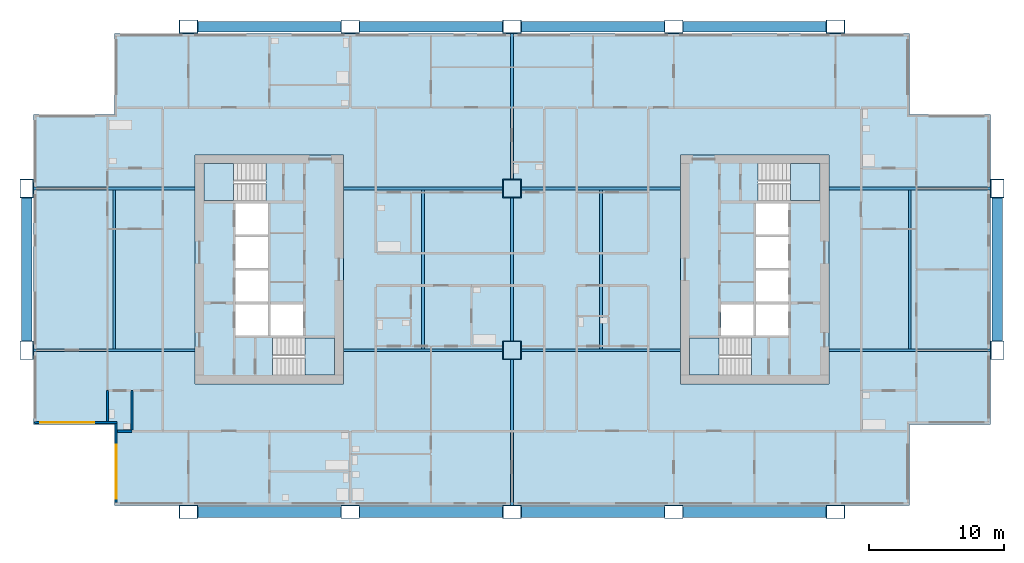
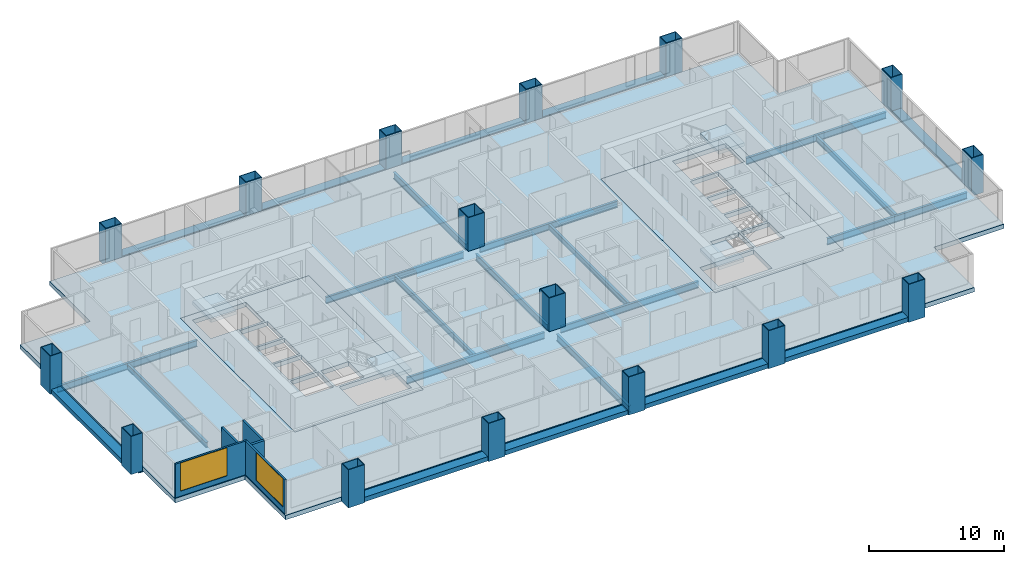
# One storey, part 1 of 11: 25 beams, 16 columns, 7 slabs, 5 walls, 2 windows, 2 openings, 4 elements without a shape of their own.
"""IFC4 building model written with IfcOpenShell, lengths in metres."""

from ifc_helpers import new_model, si_unit, direction, frame, frame_2d, origin, origin_2d, place, context, subcontext, project, spatial, polyline, rectangle, hollow_rectangle, i_section, outline, extrude, material, layer, layer_set, material_profile, profile_set, type_object, element, fill, aggregate, save


model = new_model("IFC4")

# Units and contexts
model_context = context("Model", 3, precision=1e-05, world=origin(), true_north=direction((0.0, 1.0)))
body_context = subcontext(model_context, "Body", "Model", "MODEL_VIEW")
ifc_project = project(units=[si_unit("LENGTHUNIT", "METRE"), si_unit("AREAUNIT", "SQUARE_METRE"), si_unit("VOLUMEUNIT", "CUBIC_METRE"), si_unit("PLANEANGLEUNIT", "RADIAN"), si_unit("MASSUNIT", "GRAM", prefix="KILO")], contexts=[model_context])

# Site, building, storey
site_placement = place(None, origin())
site = spatial("IfcSite", under=ifc_project, at=site_placement, CompositionType="ELEMENT")
building_placement = place(site_placement, origin())
building = spatial("IfcBuilding", under=site, at=building_placement, Name="Kitamizu Gate Tower and Museum", CompositionType="ELEMENT")
storey_placement = place(building_placement, frame((0.0, 0.0, 141.449951171875)))
storey = spatial("IfcBuildingStorey", under=building, at=storey_placement, Name="L37", CompositionType="ELEMENT", Elevation=141.449951171875)

# Columns
ifc_material_1 = material(Name="Steel SM490A bronze coated", Category="steel")
ifc_material_profile_1 = material_profile(ifc_material_1, hollow_rectangle(XDim=1.39990234375, YDim=1.0, WallThickness=0.054931640625, at=origin_2d()), Name="BOX 1400x1000x55")
ifc_profile_set_1 = profile_set([ifc_material_profile_1], Name="Steel SM490A bronze coated")
column_type_1 = type_object("IfcColumnType", Name="Exoskeleton column XC5 BOX 1400x1000x55", PredefinedType="COLUMN", material=ifc_profile_set_1)
for number, where, z_axis, x_axis, name in (
    (1, (0.0, 24.0, -0.39990234375), (0.0, 0.0, 1.0), (0.0, 1.0, 0.0), "Column XC5 1C L37"),
    (2, (0.0, 36.0, -0.39990234375), (0.0, 0.0, 1.0), (0.0, 1.0, 0.0), "Column XC5 1D L37"),
    (3, (12.0, 12.0, -0.39990234375), (0.0, 0.0, 1.0), (1.0, 0.0, 0.0), "Column XC5 2B L37"),
    (4, (12.0, 48.0, -0.39990234375), (0.0, 0.0, 1.0), (1.0, 0.0, 0.0), "Column XC5 2E L37"),
    (5, (24.0, 12.0, -0.39990234375), (0.0, 0.0, 1.0), (1.0, 0.0, 0.0), "Column XC5 3B L37"),
    (6, (24.0, 48.0, -0.39990234375), (0.0, 0.0, 1.0), (1.0, 0.0, 0.0), "Column XC5 3E L37"),
    (7, (36.0, 12.0, -0.39990234375), (0.0, 0.0, 1.0), (1.0, 0.0, 0.0), "Column XC5 4B L37"),
    (8, (36.0, 48.0, -0.39990234375), (0.0, 0.0, 1.0), (1.0, 0.0, 0.0), "Column XC5 4E L37"),
    (9, (48.0, 12.0, -0.39990234375), (0.0, 0.0, 1.0), (1.0, 0.0, 0.0), "Column XC5 5B L37"),
    (10, (48.0, 48.0, -0.39990234375), (0.0, 0.0, 1.0), (1.0, 0.0, 0.0), "Column XC5 5E L37"),
    (11, (60.0, 12.0, -0.39990234375), (0.0, 0.0, 1.0), (1.0, 0.0, 0.0), "Column XC5 6B L37"),
    (12, (60.0, 48.0, -0.39990234375), (0.0, 0.0, 1.0), (1.0, 0.0, 0.0), "Column XC5 6E L37"),
    (13, (72.0, 24.0, -0.39990234375), (0.0, 0.0, 1.0), (0.0, 1.0, 0.0), "Column XC5 7C L37"),
    (14, (72.0, 36.0, -0.39990234375), (0.0, 0.0, 1.0), (0.0, 1.0, 0.0), "Column XC5 7D L37"),
):
    element("IfcColumn", number, at=place(storey_placement, frame(where, z_axis=z_axis, x_axis=x_axis)), inside=storey, type_object=column_type_1, Name=name, PredefinedType="COLUMN", context=body_context, shape_type="SweptSolid", body=[
        extrude(hollow_rectangle(XDim=1.39990234375, YDim=1.0, WallThickness=0.054931640625, at=origin_2d()), origin(), (0.0, 0.0, 1.0), 3.449951171875),
    ])
ifc_material_2 = material(Name="Steel SM490A", Category="steel")
ifc_material_profile_2 = material_profile(ifc_material_2, hollow_rectangle(XDim=1.39990234375, YDim=1.39990234375, WallThickness=0.06005859375, at=origin_2d()), Name="BOX 1400x1400x60")
ifc_profile_set_2 = profile_set([ifc_material_profile_2], Name="Steel SM490A")
column_type_2 = type_object("IfcColumnType", Name="Interior column IC3 BOX 1400x1400x60", PredefinedType="COLUMN", material=ifc_profile_set_2)
for number, where, z_axis, x_axis, name in (
    (15, (36.0, 24.0, 0.0), (0.0, 0.0, 1.0), (1.0, 0.0, 0.0), "Column IC3 4C L37"),
    (16, (36.0, 36.0, 0.0), (0.0, 0.0, 1.0), (1.0, 0.0, 0.0), "Column IC3 4D L37"),
):
    element("IfcColumn", number, at=place(storey_placement, frame(where, z_axis=z_axis, x_axis=x_axis)), inside=storey, type_object=column_type_2, Name=name, PredefinedType="COLUMN", context=body_context, shape_type="SweptSolid", body=[
        extrude(hollow_rectangle(XDim=1.39990234375, YDim=1.39990234375, WallThickness=0.06005859375, at=origin_2d()), origin(), (0.0, 0.0, 1.0), 3.050048828125),
    ])

# Beams
ifc_material_3 = material(Name="Steel SM490A bronze coated", Category="steel")
ifc_material_profile_3 = material_profile(ifc_material_3, hollow_rectangle(XDim=0.800048828125, YDim=0.39990234375, WallThickness=0.0400390625, at=origin_2d()), Name="BOX 800x400x40")
ifc_profile_set_3 = profile_set([ifc_material_profile_3], Name="Steel SM490A bronze coated")
beam_type_1 = type_object("IfcBeamType", Name="Exoskeleton spandrel beam SB1 BOX 800x400x40", PredefinedType="SPANDREL", material=ifc_profile_set_3)
for number, where, z_axis, x_axis, name in (
    (17, (12.699951171875, 12.0, -0.199951171875), (1.0, 0.0, 0.0), (0.0, 1.0, 0.0), "Exoskeleton spandrel beam south 12 L37"),
    (18, (24.699951171875, 12.0, -0.199951171875), (1.0, 0.0, 0.0), (0.0, 1.0, 0.0), "Exoskeleton spandrel beam south 24 L37"),
    (19, (36.699951171875, 12.0, -0.199951171875), (1.0, 0.0, 0.0), (0.0, 1.0, 0.0), "Exoskeleton spandrel beam south 36 L37"),
    (20, (48.699951171875, 12.0, -0.199951171875), (1.0, 0.0, 0.0), (0.0, 1.0, 0.0), "Exoskeleton spandrel beam south 48 L37"),
    (21, (12.699951171875, 48.0, -0.199951171875), (1.0, 0.0, 0.0), (0.0, 1.0, 0.0), "Exoskeleton spandrel beam north 12 L37"),
    (22, (24.699951171875, 48.0, -0.199951171875), (1.0, 0.0, 0.0), (0.0, 1.0, 0.0), "Exoskeleton spandrel beam north 24 L37"),
    (23, (36.699951171875, 48.0, -0.199951171875), (1.0, 0.0, 0.0), (0.0, 1.0, 0.0), "Exoskeleton spandrel beam north 36 L37"),
    (24, (48.699951171875, 48.0, -0.199951171875), (1.0, 0.0, 0.0), (0.0, 1.0, 0.0), "Exoskeleton spandrel beam north 48 L37"),
    (25, (0.0, 24.699951171875, -0.199951171875), (0.0, 1.0, 0.0), (-1.0, 0.0, 0.0), "Exoskeleton spandrel beam west 24 L37"),
    (26, (72.0, 24.699951171875, -0.199951171875), (0.0, 1.0, 0.0), (-1.0, 0.0, 0.0), "Exoskeleton spandrel beam east 24 L37"),
):
    element("IfcBeam", number, at=place(storey_placement, frame(where, z_axis=z_axis, x_axis=x_axis)), inside=storey, type_object=beam_type_1, Name=name, PredefinedType="SPANDREL", context=body_context, shape_type="SweptSolid", body=[
        extrude(hollow_rectangle(XDim=0.800048828125, YDim=0.39990234375, WallThickness=0.0400390625, at=origin_2d()), origin(), (0.0, 0.0, 1.0), 10.60009765625),
    ])
ifc_material_4 = material(Name="Steel SM490A", Category="steel")
ifc_material_profile_4 = material_profile(ifc_material_4, i_section(OverallWidth=0.199951171875, OverallDepth=0.5, WebThickness=0.010009765625, FlangeThickness=0.01611328125, FilletRadius=0.02001953125, at=origin_2d()), Name="H-500x200x10x16")
ifc_profile_set_4 = profile_set([ifc_material_profile_4], Name="Steel SM490A")
beam_type_2 = type_object("IfcBeamType", Name="Floor beam FB1 H 500x200x10x16", PredefinedType="BEAM", material=ifc_profile_set_4)
for number, where, z_axis, x_axis, name in (
    (27, (6.5, 24.10009765625, -0.64990234375), (0.0, 1.0, 0.0), (-1.0, 0.0, 0.0), "Floor beam FB1 L37-1"),
    (28, (29.39990234375, 24.10009765625, -0.64990234375), (0.0, 1.0, 0.0), (-1.0, 0.0, 0.0), "Floor beam FB1 L37-2"),
    (29, (42.60009765625, 24.10009765625, -0.64990234375), (0.0, 1.0, 0.0), (-1.0, 0.0, 0.0), "Floor beam FB1 L37-3"),
    (30, (65.5, 24.10009765625, -0.64990234375), (0.0, 1.0, 0.0), (-1.0, 0.0, 0.0), "Floor beam FB1 L37-4"),
):
    element("IfcBeam", number, at=place(storey_placement, frame(where, z_axis=z_axis, x_axis=x_axis)), inside=storey, type_object=beam_type_2, Name=name, PredefinedType="BEAM", context=body_context, shape_type="SweptSolid", body=[
        extrude(i_section(OverallWidth=0.199951171875, OverallDepth=0.5, WebThickness=0.010009765625, FlangeThickness=0.01611328125, FilletRadius=0.02001953125, at=origin_2d()), origin(), (0.0, 0.0, 1.0), 11.7998046875),
    ])
ifc_material_5 = material(Name="Steel SM490A", Category="steel")
ifc_material_profile_5 = material_profile(ifc_material_5, i_section(OverallWidth=0.199951171875, OverallDepth=0.60009765625, WebThickness=0.010986328125, FlangeThickness=0.01708984375, FilletRadius=0.02197265625, at=origin_2d()), Name="H-600x200x11x17")
ifc_profile_set_5 = profile_set([ifc_material_profile_5], Name="Steel SM490A")
beam_type_3 = type_object("IfcBeamType", Name="Floor girder FG1 H 600x200x11x17", PredefinedType="BEAM", material=ifc_profile_set_5)
beam_1_placement = place(storey_placement, frame((36.0, 12.5, -0.699951171875), z_axis=(0.0, 1.0, 0.0), x_axis=(-1.0, 0.0, 0.0)))
element("IfcBeam", 31, at=beam_1_placement, inside=storey, type_object=beam_type_3, Name="Floor girder FG1 x36 L37", PredefinedType="BEAM", context=body_context, shape_type="SweptSolid", body=[
    extrude(i_section(OverallWidth=0.199951171875, OverallDepth=0.60009765625, WebThickness=0.010986328125, FlangeThickness=0.01708984375, FilletRadius=0.02197265625, at=origin_2d()), origin(), (0.0, 0.0, 1.0), 10.800048828125),
])
beam_2_placement = place(storey_placement, frame((36.0, 24.699951171875, -0.699951171875), z_axis=(0.0, 1.0, 0.0), x_axis=(-1.0, 0.0, 0.0)))
element("IfcBeam", 32, at=beam_2_placement, inside=storey, type_object=beam_type_3, Name="Floor girder FG1 x36 L37", PredefinedType="BEAM", context=body_context, shape_type="SweptSolid", body=[
    extrude(i_section(OverallWidth=0.199951171875, OverallDepth=0.60009765625, WebThickness=0.010986328125, FlangeThickness=0.01708984375, FilletRadius=0.02197265625, at=origin_2d()), origin(), (0.0, 0.0, 1.0), 10.60009765625),
])
beam_3_placement = place(storey_placement, frame((36.0, 36.699951171875, -0.699951171875), z_axis=(0.0, 1.0, 0.0), x_axis=(-1.0, 0.0, 0.0)))
element("IfcBeam", 33, at=beam_3_placement, inside=storey, type_object=beam_type_3, Name="Floor girder FG1 x36 L37", PredefinedType="BEAM", context=body_context, shape_type="SweptSolid", body=[
    extrude(i_section(OverallWidth=0.199951171875, OverallDepth=0.60009765625, WebThickness=0.010986328125, FlangeThickness=0.01708984375, FilletRadius=0.02197265625, at=origin_2d()), origin(), (0.0, 0.0, 1.0), 10.800048828125),
])
beam_4_placement = place(storey_placement, frame((0.5, 24.0, -0.699951171875), z_axis=(1.0, 0.0, 0.0), x_axis=(0.0, 1.0, 0.0)))
element("IfcBeam", 34, at=beam_4_placement, inside=storey, type_object=beam_type_3, Name="Floor girder FG1 y24 L37", PredefinedType="BEAM", context=body_context, shape_type="SweptSolid", body=[
    extrude(i_section(OverallWidth=0.199951171875, OverallDepth=0.60009765625, WebThickness=0.010986328125, FlangeThickness=0.01708984375, FilletRadius=0.02197265625, at=origin_2d()), origin(), (0.0, 0.0, 1.0), 12.0),
])
for number, where, z_axis, x_axis, name in (
    (35, (23.5, 24.0, -0.699951171875), (1.0, 0.0, 0.0), (0.0, 1.0, 0.0), "Floor girder FG1 y24 L37"),
    (36, (36.699951171875, 24.0, -0.699951171875), (1.0, 0.0, 0.0), (0.0, 1.0, 0.0), "Floor girder FG1 y24 L37"),
):
    element("IfcBeam", number, at=place(storey_placement, frame(where, z_axis=z_axis, x_axis=x_axis)), inside=storey, type_object=beam_type_3, Name=name, PredefinedType="BEAM", context=body_context, shape_type="SweptSolid", body=[
        extrude(i_section(OverallWidth=0.199951171875, OverallDepth=0.60009765625, WebThickness=0.010986328125, FlangeThickness=0.01708984375, FilletRadius=0.02197265625, at=origin_2d()), origin(), (0.0, 0.0, 1.0), 11.800048828125),
    ])
for number, where, z_axis, x_axis, name in (
    (37, (59.5, 24.0, -0.699951171875), (1.0, 0.0, 0.0), (0.0, 1.0, 0.0), "Floor girder FG1 y24 L37"),
    (38, (0.5, 36.0, -0.699951171875), (1.0, 0.0, 0.0), (0.0, 1.0, 0.0), "Floor girder FG1 y36 L37"),
):
    element("IfcBeam", number, at=place(storey_placement, frame(where, z_axis=z_axis, x_axis=x_axis)), inside=storey, type_object=beam_type_3, Name=name, PredefinedType="BEAM", context=body_context, shape_type="SweptSolid", body=[
        extrude(i_section(OverallWidth=0.199951171875, OverallDepth=0.60009765625, WebThickness=0.010986328125, FlangeThickness=0.01708984375, FilletRadius=0.02197265625, at=origin_2d()), origin(), (0.0, 0.0, 1.0), 12.0),
    ])
for number, where, z_axis, x_axis, name in (
    (39, (23.5, 36.0, -0.699951171875), (1.0, 0.0, 0.0), (0.0, 1.0, 0.0), "Floor girder FG1 y36 L37"),
    (40, (36.699951171875, 36.0, -0.699951171875), (1.0, 0.0, 0.0), (0.0, 1.0, 0.0), "Floor girder FG1 y36 L37"),
):
    element("IfcBeam", number, at=place(storey_placement, frame(where, z_axis=z_axis, x_axis=x_axis)), inside=storey, type_object=beam_type_3, Name=name, PredefinedType="BEAM", context=body_context, shape_type="SweptSolid", body=[
        extrude(i_section(OverallWidth=0.199951171875, OverallDepth=0.60009765625, WebThickness=0.010986328125, FlangeThickness=0.01708984375, FilletRadius=0.02197265625, at=origin_2d()), origin(), (0.0, 0.0, 1.0), 11.800048828125),
    ])
beam_5_placement = place(storey_placement, frame((59.5, 36.0, -0.699951171875), z_axis=(1.0, 0.0, 0.0), x_axis=(0.0, 1.0, 0.0)))
element("IfcBeam", 41, at=beam_5_placement, inside=storey, type_object=beam_type_3, Name="Floor girder FG1 y36 L37", PredefinedType="BEAM", context=body_context, shape_type="SweptSolid", body=[
    extrude(i_section(OverallWidth=0.199951171875, OverallDepth=0.60009765625, WebThickness=0.010986328125, FlangeThickness=0.01708984375, FilletRadius=0.02197265625, at=origin_2d()), origin(), (0.0, 0.0, 1.0), 12.0),
])

# Slabs
ifc_material_6 = material(Name="Concrete Fc36", Category="concrete")
ifc_layer_1 = layer(ifc_material_6, 0.39990234375)
ifc_layer_set_1 = layer_set([ifc_layer_1], Name="Concrete Fc36")
slab_type_1 = type_object("IfcSlabType", Name="Core floor slab 400", PredefinedType="FLOOR", material=ifc_layer_set_1)
slab_1_placement = place(storey_placement, frame((0.0, 0.0, -0.39990234375)))
element("IfcSlab", 42, at=slab_1_placement, inside=storey, type_object=slab_type_1, Name="Core floor slab W", PredefinedType="FLOOR", context=body_context, shape_type="SweptSolid", body=[
    extrude(outline(polyline([(12.5, 21.5), (23.5, 21.5), (23.5, 38.5), (12.5, 38.5), (12.5, 21.5)]), holes=[polyline([(15.5, 25.10009765625), (17.89990234375, 25.10009765625), (17.89990234375, 27.39990234375), (15.5, 27.39990234375), (15.5, 25.10009765625)]), polyline([(15.5, 27.60009765625), (17.89990234375, 27.60009765625), (17.89990234375, 29.89990234375), (15.5, 29.89990234375), (15.5, 27.60009765625)]), polyline([(15.5, 30.10009765625), (17.89990234375, 30.10009765625), (17.89990234375, 32.39990234375), (15.5, 32.39990234375), (15.5, 30.10009765625)]), polyline([(15.5, 32.60009765625), (17.89990234375, 32.60009765625), (17.89990234375, 34.89990234375), (15.5, 34.89990234375), (15.5, 32.60009765625)]), polyline([(18.10009765625, 25.10009765625), (20.5, 25.10009765625), (20.5, 27.39990234375), (18.10009765625, 27.39990234375), (18.10009765625, 25.10009765625)]), polyline([(18.25048828125, 22.14990234375), (22.85009765625, 22.14990234375), (22.85009765625, 24.89990234375), (18.25048828125, 24.89990234375), (18.25048828125, 22.14990234375)]), polyline([(13.14990234375, 35.10009765625), (17.74951171875, 35.10009765625), (17.74951171875, 37.85009765625), (13.14990234375, 37.85009765625), (13.14990234375, 35.10009765625)])]), origin(), (0.0, 0.0, 1.0), 0.39990234375),
])
slab_2_placement = place(storey_placement, frame((0.0, 0.0, -0.39990234375)))
element("IfcSlab", 43, at=slab_2_placement, inside=storey, type_object=slab_type_1, Name="Core floor slab E", PredefinedType="FLOOR", context=body_context, shape_type="SweptSolid", body=[
    extrude(outline(polyline([(48.5, 21.5), (59.5, 21.5), (59.5, 38.5), (48.5, 38.5), (48.5, 21.5)]), holes=[polyline([(54.10009765625, 25.10009765625), (56.5, 25.10009765625), (56.5, 27.39990234375), (54.10009765625, 27.39990234375), (54.10009765625, 25.10009765625)]), polyline([(54.10009765625, 27.60009765625), (56.5, 27.60009765625), (56.5, 29.89990234375), (54.10009765625, 29.89990234375), (54.10009765625, 27.60009765625)]), polyline([(54.10009765625, 30.10009765625), (56.5, 30.10009765625), (56.5, 32.39990234375), (54.10009765625, 32.39990234375), (54.10009765625, 30.10009765625)]), polyline([(54.10009765625, 32.60009765625), (56.5, 32.60009765625), (56.5, 34.89990234375), (54.10009765625, 34.89990234375), (54.10009765625, 32.60009765625)]), polyline([(51.5, 25.10009765625), (53.89990234375, 25.10009765625), (53.89990234375, 27.39990234375), (51.5, 27.39990234375), (51.5, 25.10009765625)]), polyline([(49.14990234375, 22.14990234375), (53.74951171875, 22.14990234375), (53.74951171875, 24.89990234375), (49.14990234375, 24.89990234375), (49.14990234375, 22.14990234375)]), polyline([(54.25048828125, 35.10009765625), (58.85009765625, 35.10009765625), (58.85009765625, 37.85009765625), (54.25048828125, 37.85009765625), (54.25048828125, 35.10009765625)])]), origin(), (0.0, 0.0, 1.0), 0.39990234375),
])
ifc_material_7 = material(Name="Concrete Fc36", Category="concrete")
ifc_layer_2 = layer(ifc_material_7, 0.39990234375)
ifc_layer_set_2 = layer_set([ifc_layer_2], Name="Concrete Fc36")
slab_type_2 = type_object("IfcSlabType", Name="Post tensioned flat slab 400", PredefinedType="FLOOR", material=ifc_layer_set_2)
slab_3_placement = place(storey_placement, frame((0.0, 0.0, -0.39990234375)))
element("IfcSlab", 44, at=slab_3_placement, inside=storey, type_object=slab_type_2, Name="Floor slab L37-1", PredefinedType="FLOOR", context=body_context, shape_type="SweptSolid", body=[
    extrude(outline(polyline([(0.5, 18.5), (0.5, 41.5), (6.5, 41.5), (6.5, 47.5), (65.5, 47.5), (65.5, 41.5), (71.5, 41.5), (71.5, 18.5), (65.5, 18.5), (65.5, 12.5), (6.5, 12.5), (6.5, 18.5), (0.5, 18.5)]), holes=[polyline([(59.5, 38.5), (48.5, 38.5), (48.5, 21.5), (59.5, 21.5), (59.5, 38.5)]), polyline([(12.5, 38.5), (12.5, 21.5), (23.5, 21.5), (23.5, 38.5), (12.5, 38.5)])]), origin(), (0.0, 0.0, 1.0), 0.39990234375),
])

# Stair, slab
ifc_material_8 = material(Name="Concrete Fc42", Category="concrete")
stair_type = type_object("IfcStairType", Name="Exit stair 1275 wide 192 rise 300 going", PredefinedType="HALF_TURN_STAIR", material=ifc_material_8)
stair_1_placement = place(storey_placement, origin())
stair_1 = element("IfcStair", 45, at=stair_1_placement, inside=storey, type_object=stair_type, Name="Exit stair ST1", PredefinedType="HALF_TURN_STAIR")
ifc_material_9 = material(Name="Concrete Fc42", Category="concrete")
ifc_layer_3 = layer(ifc_material_9, 0.300048828125)
ifc_layer_set_3 = layer_set([ifc_layer_3], Name="Concrete Fc42")
slab_type_3 = type_object("IfcSlabType", Name="Stair landing 300", PredefinedType="LANDING", material=ifc_layer_set_3)
slab_4_placement = place(storey_placement, frame((0.0, 0.0, 1.425048828125)))
slab_4 = element("IfcSlab", 46, at=slab_4_placement, type_object=slab_type_3, Name="ST1 landing 1", PredefinedType="LANDING", context=body_context, shape_type="SweptSolid", body=[
    extrude(outline(polyline([(20.64990234375, 22.14990234375), (22.85009765625, 22.14990234375), (22.85009765625, 24.89990234375), (20.64990234375, 24.89990234375), (20.64990234375, 22.14990234375)])), origin(), (0.0, 0.0, 1.0), 0.300048828125),
])
aggregate(stair_1, [slab_4])

stair_2_placement = place(storey_placement, origin())
stair_2 = element("IfcStair", 47, at=stair_2_placement, inside=storey, type_object=stair_type, Name="Exit stair ST2", PredefinedType="HALF_TURN_STAIR")
slab_5_placement = place(storey_placement, frame((0.0, 0.0, 1.425048828125)))
slab_5 = element("IfcSlab", 48, at=slab_5_placement, type_object=slab_type_3, Name="ST2 landing 1", PredefinedType="LANDING", context=body_context, shape_type="SweptSolid", body=[
    extrude(outline(polyline([(13.14990234375, 35.10009765625), (15.35009765625, 35.10009765625), (15.35009765625, 37.85009765625), (13.14990234375, 37.85009765625), (13.14990234375, 35.10009765625)])), origin(), (0.0, 0.0, 1.0), 0.300048828125),
])
aggregate(stair_2, [slab_5])

stair_3_placement = place(storey_placement, origin())
stair_3 = element("IfcStair", 49, at=stair_3_placement, inside=storey, type_object=stair_type, Name="Exit stair ST3", PredefinedType="HALF_TURN_STAIR")
slab_6_placement = place(storey_placement, frame((0.0, 0.0, 1.425048828125)))
slab_6 = element("IfcSlab", 50, at=slab_6_placement, type_object=slab_type_3, Name="ST3 landing 1", PredefinedType="LANDING", context=body_context, shape_type="SweptSolid", body=[
    extrude(outline(polyline([(49.14990234375, 22.14990234375), (51.35009765625, 22.14990234375), (51.35009765625, 24.89990234375), (49.14990234375, 24.89990234375), (49.14990234375, 22.14990234375)])), origin(), (0.0, 0.0, 1.0), 0.300048828125),
])
aggregate(stair_3, [slab_6])

stair_4_placement = place(storey_placement, origin())
stair_4 = element("IfcStair", 51, at=stair_4_placement, inside=storey, type_object=stair_type, Name="Exit stair ST4", PredefinedType="HALF_TURN_STAIR")
slab_7_placement = place(storey_placement, frame((0.0, 0.0, 1.425048828125)))
slab_7 = element("IfcSlab", 52, at=slab_7_placement, type_object=slab_type_3, Name="ST4 landing 1", PredefinedType="LANDING", context=body_context, shape_type="SweptSolid", body=[
    extrude(outline(polyline([(56.64990234375, 35.10009765625), (58.85009765625, 35.10009765625), (58.85009765625, 37.85009765625), (56.64990234375, 37.85009765625), (56.64990234375, 35.10009765625)])), origin(), (0.0, 0.0, 1.0), 0.300048828125),
])
aggregate(stair_4, [slab_7])

# Walls
ifc_material_10 = material(Name="Gypsum board on galvanised stud")
ifc_layer_4 = layer(ifc_material_10, 0.14990234375)
ifc_layer_set_4 = layer_set([ifc_layer_4], Name="Gypsum board on galvanised stud")
wall_type_1 = type_object("IfcWallType", Name="Partition 150", PredefinedType="PARTITIONING", material=ifc_layer_set_4)
wall_1_placement = place(storey_placement, frame((6.0, 18.719970703125, 0.0), z_axis=(0.0, 0.0, 1.0), x_axis=(0.0, 1.0, 0.0)))
element("IfcWall", 53, at=wall_1_placement, inside=storey, type_object=wall_type_1, Name="Partition L37-014", PredefinedType="PARTITIONING", context=body_context, shape_type="SweptSolid", body=[
    extrude(rectangle(XDim=2.280029296875, YDim=0.14990234375, at=frame_2d((1.14013671875, 0.0))), origin(), (0.0, 0.0, 1.0), 3.050048828125),
])
wall_2_placement = place(storey_placement, frame((7.800048828125, 18.10009765625, 0.0), z_axis=(0.0, 0.0, 1.0), x_axis=(0.0, 1.0, 0.0)))
element("IfcWall", 54, at=wall_2_placement, inside=storey, type_object=wall_type_1, Name="Partition L37-021", PredefinedType="PARTITIONING", context=body_context, shape_type="SweptSolid", body=[
    extrude(rectangle(XDim=2.89990234375, YDim=0.14990234375, at=frame_2d((1.449951171875, 0.0))), origin(), (0.0, 0.0, 1.0), 3.050048828125),
])
ifc_material_11 = material(Name="Gypsum board on galvanised stud")
ifc_layer_5 = layer(ifc_material_11, 0.199951171875)
ifc_layer_set_5 = layer_set([ifc_layer_5], Name="Gypsum board on galvanised stud")
wall_type_2 = type_object("IfcWallType", Name="Partition 200", PredefinedType="PARTITIONING", material=ifc_layer_set_5)
wall_3_placement = place(storey_placement, frame((7.800048828125, 18.0, 0.0), z_axis=(0.0, 0.0, 1.0), x_axis=(-1.0, 0.0, 0.0)))
element("IfcWall", 55, at=wall_3_placement, inside=storey, type_object=wall_type_2, Name="Partition L37-002", PredefinedType="PARTITIONING", context=body_context, shape_type="SweptSolid", body=[
    extrude(rectangle(XDim=1.080078125, YDim=0.199951171875, at=frame_2d((0.5400390625, 0.0))), origin(), (0.0, 0.0, 1.0), 3.050048828125),
])

# Wall, opening, window
ifc_material_12 = material(Name="Bronze anodised aluminium frame with insulated spandrel and tinted glass", Category="aluminium")
ifc_layer_6 = layer(ifc_material_12, 0.14990234375)
ifc_layer_set_6 = layer_set([ifc_layer_6], Name="Bronze anodised aluminium frame with insulated spandrel and tinted glass")
wall_type_3 = type_object("IfcWallType", Name="WINDOW WALL 150 BRONZE FRAME EI 30", PredefinedType="ELEMENTEDWALL", material=ifc_layer_set_6)
wall_4_placement = place(storey_placement, frame((0.56005859375, 18.635009765625, 0.0), z_axis=(0.0, 0.0, 1.0), x_axis=(1.0, 0.0, 0.0)))
wall_4 = element("IfcWall", 56, at=wall_4_placement, inside=storey, type_object=wall_type_3, Name="Window wall south L37", PredefinedType="ELEMENTEDWALL", context=body_context, shape_type="SweptSolid", body=[
    extrude(rectangle(XDim=6.14990234375, YDim=0.14990234375, at=frame_2d((3.074951171875, 0.0))), origin(), (0.0, 0.0, 1.0), 3.050048828125),
])
opening_1_placement = place(wall_4_placement, frame((0.43994140625, 0.0, 0.449951171875)))
opening_1 = element("IfcOpeningElement", 57, at=opening_1_placement, cuts=wall_4, Name="Opening W16", PredefinedType="OPENING", context=body_context, shape_type="SweptSolid", body=[
    extrude(rectangle(XDim=4.0, YDim=2.550048828125, at=frame_2d((2.0, 1.27490234375))), frame((0.0, 0.0849609375, 0.0), z_axis=(0.0, -1.0, 0.0), x_axis=(1.0, 0.0, 0.0)), (0.0, 0.0, 1.0), 0.169921875),
])
ifc_material_13 = material(Name="Bronze anodised aluminium frame, tinted triple glazing", Category="aluminium")
window_type = type_object("IfcWindowType", Name="WINDOW 4000 x 2550 SILL 450", PartitioningType="SINGLE_PANEL", PredefinedType="WINDOW", material=ifc_material_13)
window_1_placement = place(opening_1_placement, origin())
window_1 = element("IfcWindow", 58, at=window_1_placement, inside=storey, type_object=window_type, Name="Window W16 L37", OverallHeight=2.550048828125, OverallWidth=4.0, PartitioningType="SINGLE_PANEL", PredefinedType="WINDOW", context=body_context, shape_type="SweptSolid", body=[
    extrude(rectangle(XDim=4.0, YDim=2.550048828125, at=frame_2d((2.0, 1.27490234375))), frame((0.0, 0.030029296875, 0.0), z_axis=(0.0, -1.0, 0.0), x_axis=(1.0, 0.0, 0.0)), (0.0, 0.0, 1.0), 0.06005859375),
])
fill(opening_1, window_1)

wall_5_placement = place(storey_placement, frame((6.635009765625, 12.7099609375, 0.0), z_axis=(0.0, 0.0, 1.0), x_axis=(0.0, 1.0, 0.0)))
wall_5 = element("IfcWall", 59, at=wall_5_placement, inside=storey, type_object=wall_type_3, Name="Window wall west L37", PredefinedType="ELEMENTEDWALL", context=body_context, shape_type="SweptSolid", body=[
    extrude(rectangle(XDim=5.85009765625, YDim=0.14990234375, at=frame_2d((2.925048828125, 0.0))), origin(), (0.0, 0.0, 1.0), 3.050048828125),
])
opening_2_placement = place(wall_5_placement, frame((0.2900390625, 0.0, 0.449951171875)))
opening_2 = element("IfcOpeningElement", 60, at=opening_2_placement, cuts=wall_5, Name="Opening W16", PredefinedType="OPENING", context=body_context, shape_type="SweptSolid", body=[
    extrude(rectangle(XDim=4.0, YDim=2.550048828125, at=frame_2d((2.0, 1.27490234375))), frame((0.0, 0.0849609375, 0.0), z_axis=(0.0, -1.0, 0.0), x_axis=(1.0, 0.0, 0.0)), (0.0, 0.0, 1.0), 0.169921875),
])
window_2_placement = place(opening_2_placement, origin())
window_2 = element("IfcWindow", 61, at=window_2_placement, inside=storey, type_object=window_type, Name="Window W16 L37", OverallHeight=2.550048828125, OverallWidth=4.0, PartitioningType="SINGLE_PANEL", PredefinedType="WINDOW", context=body_context, shape_type="SweptSolid", body=[
    extrude(rectangle(XDim=4.0, YDim=2.550048828125, at=frame_2d((2.0, 1.27490234375))), frame((0.0, 0.030029296875, 0.0), z_axis=(0.0, -1.0, 0.0), x_axis=(1.0, 0.0, 0.0)), (0.0, 0.0, 1.0), 0.06005859375),
])
fill(opening_2, window_2)

save(model, "model.ifc")
